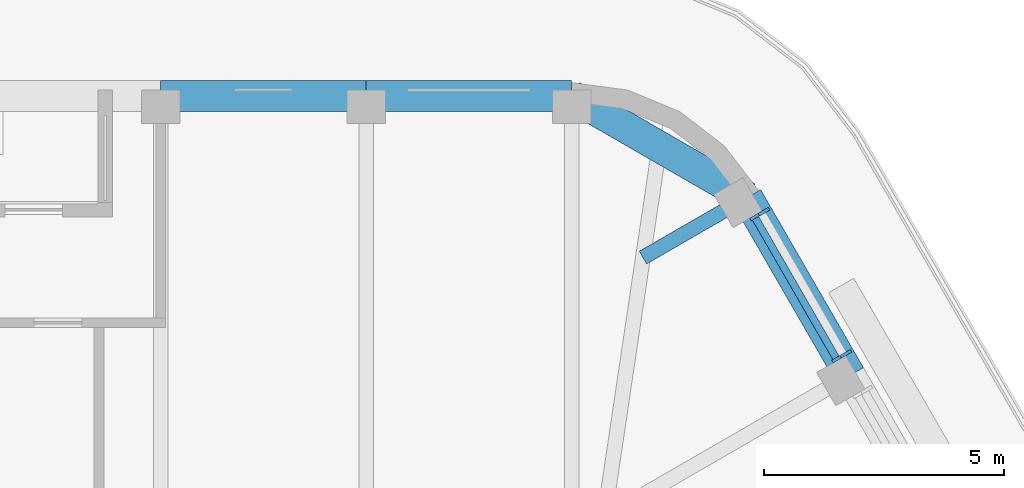
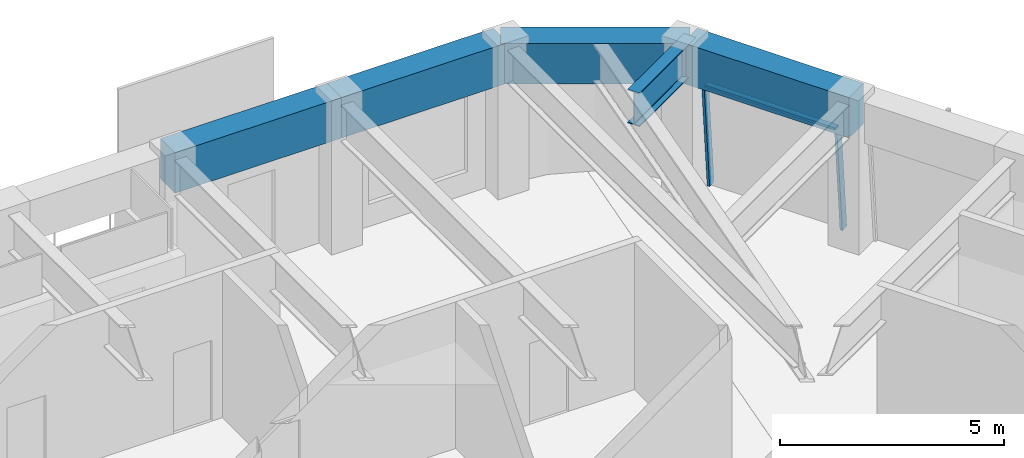
# One storey, part 11 of 19: 5 beams, 3 members, 1 element without a shape of its own.
"""IFC4 building model written with IfcOpenShell, lengths in metres."""

from ifc_helpers import new_model, si_unit, direction, frame, origin, origin_2d, place, context, subcontext, project, spatial, rectangle, i_section, extrude, material, material_profile, profile_set, type_object, element, aggregate, save


model = new_model("IFC4")

# Units and contexts
model_context = context("Model", 3, precision=1e-05, world=origin(), true_north=direction((0.0, 1.0)))
body_context = subcontext(model_context, "Body", "Model", "MODEL_VIEW")
ifc_project = project(units=[si_unit("LENGTHUNIT", "METRE"), si_unit("AREAUNIT", "SQUARE_METRE"), si_unit("VOLUMEUNIT", "CUBIC_METRE"), si_unit("PLANEANGLEUNIT", "RADIAN"), si_unit("MASSUNIT", "GRAM", prefix="KILO")], contexts=[model_context])

# Site, building, storey
site_placement = place(None, origin())
site = spatial("IfcSite", under=ifc_project, at=site_placement, CompositionType="ELEMENT")
building_placement = place(site_placement, origin())
building = spatial("IfcBuilding", under=site, at=building_placement, Name="Tarfa Lantern Tower", CompositionType="ELEMENT")
storey_placement = place(building_placement, frame((0.0, 0.0, 374.5)))
storey = spatial("IfcBuildingStorey", under=building, at=storey_placement, Name="L85", CompositionType="ELEMENT", Elevation=374.5)

# Curtain wall, members
ifc_material_1 = material(Name="Aluminium framed curtain wall", Category="aluminium")
curtain_wall_type = type_object("IfcCurtainWallType", Name="CW4 CANTED GLAZING EXECUTIVE ZONE 2900", PredefinedType="USERDEFINED", material=ifc_material_1)
curtain_wall_placement = place(storey_placement, origin())
curtain_wall = element("IfcCurtainWall", 1, at=curtain_wall_placement, inside=storey, type_object=curtain_wall_type, Name="CW4 NE L85", ObjectType="CURTAIN WALL", PredefinedType="USERDEFINED")
ifc_material_2 = material(Name="Aluminium mullion", Category="aluminium")
ifc_material_profile_1 = material_profile(ifc_material_2, rectangle(XDim=0.06494140625, YDim=0.199951171875, at=origin_2d()), Name="AL MULLION 65x200")
ifc_profile_set_1 = profile_set([ifc_material_profile_1], Name="Aluminium mullion")
member_type_1 = type_object("IfcMemberType", Name="CWM1 MULLION 65x200", PredefinedType="MULLION", material=ifc_profile_set_1)
member_1_placement = place(storey_placement, frame((18.581298828125, 21.1162109375, 0.0), z_axis=(-0.074399820079, -0.042945555672, 0.996303340364), x_axis=(0.499919672301, -0.866071776036, 0.0)))
member_1 = element("IfcMember", 2, at=member_1_placement, type_object=member_type_1, Name="CW4 mullion 1", PredefinedType="MULLION", context=body_context, shape_type="SweptSolid", body=[
    extrude(rectangle(XDim=0.06494140625, YDim=0.199951171875, at=origin_2d()), origin(), (0.0, 0.0, 1.0), 2.91064453125),
])
member_2_placement = place(storey_placement, frame((16.872802734375, 24.075439453125, 0.0), z_axis=(-0.074399820079, -0.042945555672, 0.996303340364), x_axis=(0.499919672301, -0.866071776036, 0.0)))
member_2 = element("IfcMember", 3, at=member_2_placement, type_object=member_type_1, Name="CW4 mullion 2", PredefinedType="MULLION", context=body_context, shape_type="SweptSolid", body=[
    extrude(rectangle(XDim=0.06494140625, YDim=0.199951171875, at=origin_2d()), origin(), (0.0, 0.0, 1.0), 2.91064453125),
])
ifc_material_3 = material(Name="Aluminium transom", Category="aluminium")
ifc_material_profile_2 = material_profile(ifc_material_3, rectangle(XDim=0.14990234375, YDim=0.06494140625, at=origin_2d()), Name="AL TRANSOM 150x65")
ifc_profile_set_2 = profile_set([ifc_material_profile_2], Name="Aluminium transom")
member_type_2 = type_object("IfcMemberType", Name="CWT1 TRANSOM 150x65", PredefinedType="USERDEFINED", material=ifc_profile_set_2)
member_3_placement = place(storey_placement, frame((18.35107421875, 21.020751953125, 2.867431640625), z_axis=(-0.500016677412, 0.866015774862, 0.0), x_axis=(-0.866015774862, -0.500016677412, 0.0)))
member_3 = element("IfcMember", 4, at=member_3_placement, type_object=member_type_2, Name="CW4 transom 1.2", ObjectType="TRANSOM", PredefinedType="USERDEFINED", context=body_context, shape_type="SweptSolid", body=[
    extrude(rectangle(XDim=0.14990234375, YDim=0.06494140625, at=origin_2d()), origin(), (0.0, 0.0, 1.0), 3.35205078125),
])
aggregate(curtain_wall, [member_1, member_2, member_3])

# Beams
ifc_material_4 = material(Name="Concrete C80/95", Category="concrete")
ifc_material_profile_3 = material_profile(ifc_material_4, rectangle(XDim=0.64990234375, YDim=1.10009765625, at=origin_2d()), Name="RC 650x1100")
ifc_profile_set_3 = profile_set([ifc_material_profile_3], Name="Concrete C80/95")
beam_type_1 = type_object("IfcBeamType", Name="EB4 RC 650x1100", PredefinedType="SPANDREL", material=ifc_profile_set_3)
beam_1_placement = place(storey_placement, frame((18.6416015625, 20.651611328125, 3.449951171875), z_axis=(-0.499959351497, 0.866048870937, 0.0), x_axis=(-0.866048870937, -0.499959351497, 0.0)))
element("IfcBeam", 5, at=beam_1_placement, inside=storey, type_object=beam_type_1, Name="Edge beam NE5", PredefinedType="SPANDREL", context=body_context, shape_type="SweptSolid", body=[
    extrude(rectangle(XDim=0.64990234375, YDim=1.10009765625, at=origin_2d()), origin(), (0.0, 0.0, 1.0), 4.281982421875),
])
beam_2_placement = place(storey_placement, frame((16.500732421875, 24.360107421875, 3.449951171875), z_axis=(-0.866048788483, 0.499959494327, 0.0), x_axis=(-0.499959494327, -0.866048788483, 0.0)))
element("IfcBeam", 6, at=beam_2_placement, inside=storey, type_object=beam_type_1, Name="Edge beam NE6", PredefinedType="SPANDREL", context=body_context, shape_type="SweptSolid", body=[
    extrude(rectangle(XDim=0.64990234375, YDim=1.10009765625, at=origin_2d()), origin(), (0.0, 0.0, 1.0), 4.219970703125),
])
for number, where, z_axis, x_axis, name in (
    (7, (12.845947265625, 26.469970703125, 3.449951171875), (-1.0, 0.0, 0.0), (0.0, -1.0, 0.0), "Edge beam N0"),
    (8, (8.56396484375, 26.469970703125, 3.449951171875), (-1.0, 0.0, 0.0), (0.0, -1.0, 0.0), "Edge beam N1"),
):
    element("IfcBeam", number, at=place(storey_placement, frame(where, z_axis=z_axis, x_axis=x_axis)), inside=storey, type_object=beam_type_1, Name=name, PredefinedType="SPANDREL", context=body_context, shape_type="SweptSolid", body=[
        extrude(rectangle(XDim=0.64990234375, YDim=1.10009765625, at=origin_2d()), origin(), (0.0, 0.0, 1.0), 4.281982421875),
    ])
ifc_material_5 = material(Name="Steel S460M", Category="steel")
ifc_material_profile_4 = material_profile(ifc_material_5, i_section(OverallWidth=0.305419921875, OverallDepth=0.91845703125, WebThickness=0.017333984375, FlangeThickness=0.02783203125, FilletRadius=0.01904296875, at=origin_2d()), Name="UB914x305x253")
ifc_profile_set_4 = profile_set([ifc_material_profile_4], Name="Steel S460M")
beam_type_2 = type_object("IfcBeamType", Name="UB914x305x253", PredefinedType="BEAM", material=ifc_profile_set_4)
beam_3_placement = place(storey_placement, frame((16.500732421875, 24.360107421875, 3.540771484375), z_axis=(-0.865992557167, -0.500056887695, 0.0), x_axis=(0.500056887695, -0.865992557167, 0.0)))
element("IfcBeam", 9, at=beam_3_placement, inside=storey, type_object=beam_type_2, Name="Floor beam NE6", PredefinedType="BEAM", context=body_context, shape_type="SweptSolid", body=[
    extrude(i_section(OverallWidth=0.305419921875, OverallDepth=0.91845703125, WebThickness=0.017333984375, FlangeThickness=0.02783203125, FilletRadius=0.01904296875, at=origin_2d()), origin(), (0.0, 0.0, 1.0), 2.506591796875),
])

save(model, "model.ifc")
